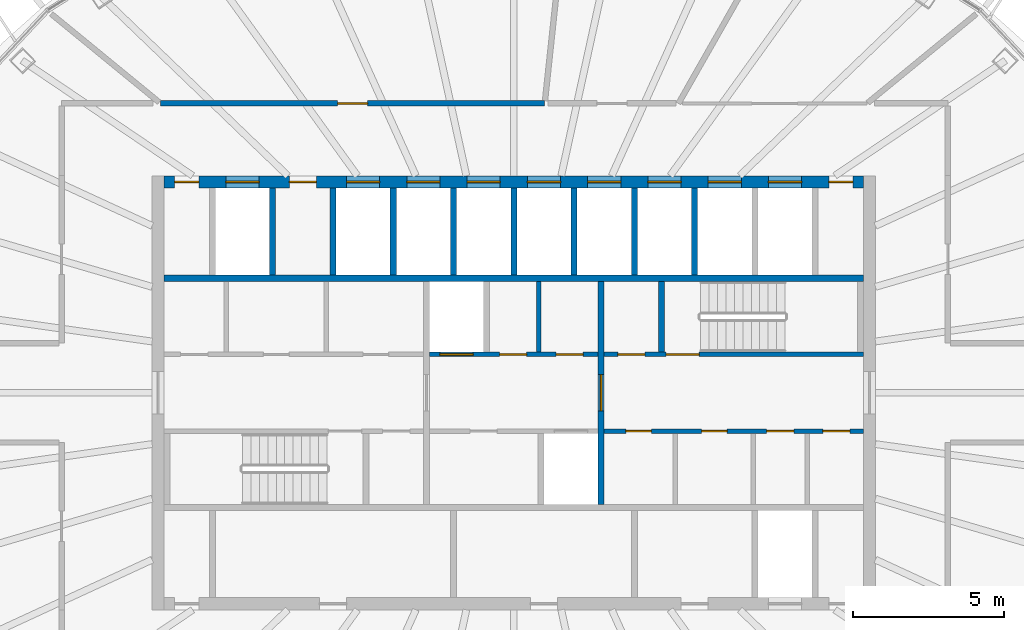
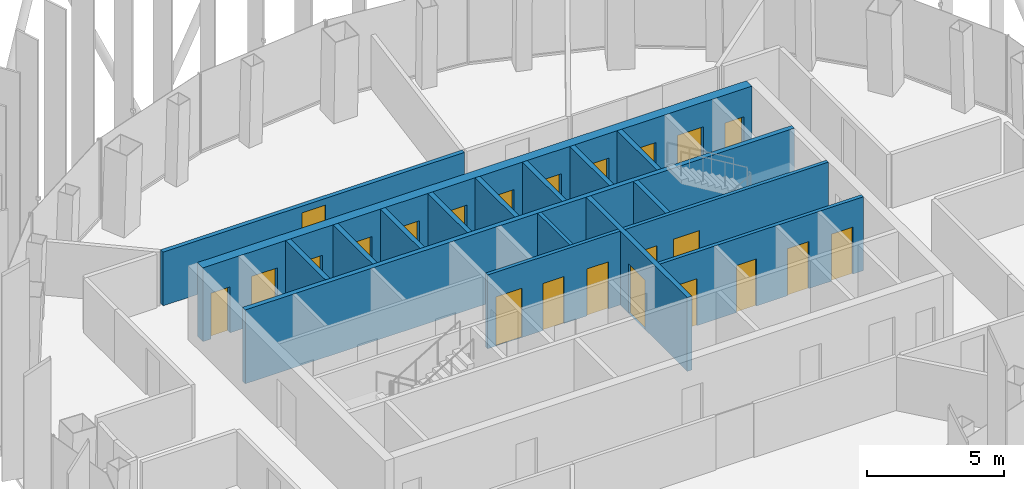
# One storey, part 11 of 19: 23 doors, 17 walls, 23 openings.
"""IFC4 building model written with IfcOpenShell, lengths in metres."""

from ifc_helpers import new_model, si_unit, direction, frame, frame_2d, origin, place, context, subcontext, project, spatial, rectangle, extrude, material, layer, layer_set, type_object, element, fill, save


model = new_model("IFC4")

# Units and contexts
model_context = context("Model", 3, precision=1e-05, world=origin(), true_north=direction((0.0, 1.0)))
body_context = subcontext(model_context, "Body", "Model", "MODEL_VIEW")
ifc_project = project(units=[si_unit("LENGTHUNIT", "METRE"), si_unit("AREAUNIT", "SQUARE_METRE"), si_unit("VOLUMEUNIT", "CUBIC_METRE"), si_unit("PLANEANGLEUNIT", "RADIAN"), si_unit("MASSUNIT", "GRAM", prefix="KILO")], contexts=[model_context])

# Site, building, storey
site_placement = place(None, origin())
site = spatial("IfcSite", under=ifc_project, at=site_placement, CompositionType="ELEMENT")
building_placement = place(site_placement, origin())
building = spatial("IfcBuilding", under=site, at=building_placement, Name="Siaravel Broadcast Tower", CompositionType="ELEMENT")
storey_placement = place(building_placement, frame((0.0, 0.0, 217.10009765625)))
storey = spatial("IfcBuildingStorey", under=building, at=storey_placement, Name="L52", CompositionType="ELEMENT", Elevation=217.10009765625)

# Wall
ifc_material_1 = material(Name="Concrete blockwork", Category="masonry")
ifc_layer_1 = layer(ifc_material_1, 0.14990234375)
ifc_layer_set_1 = layer_set([ifc_layer_1], Name="Concrete blockwork")
wall_type_1 = type_object("IfcWallType", Name="Core partition 150", PredefinedType="PARTITIONING", material=ifc_layer_set_1)
wall_1_placement = place(storey_placement, frame((0.827392578125, 1.35009765625, 0.0), z_axis=(0.0, 0.0, 1.0), x_axis=(0.0, 1.0, 0.0)))
element("IfcWall", 1, at=wall_1_placement, inside=storey, type_object=wall_type_1, Name="L52 core partition PNM0", PredefinedType="PARTITIONING", context=body_context, shape_type="SweptSolid", body=[
    extrude(rectangle(XDim=2.349853515625, YDim=0.14990234375, at=frame_2d((1.1748046875, 0.0))), origin(), (0.0, 0.0, 1.0), 3.2998046875),
])

# Wall, openings, doors
ifc_material_2 = material(Name="Concrete C60/75", Category="concrete")
ifc_layer_2 = layer(ifc_material_2, 0.39990234375)
ifc_layer_set_2 = layer_set([ifc_layer_2], Name="Concrete C60/75")
wall_type_2 = type_object("IfcWallType", Name="Core wall 400", PredefinedType="SHEAR", material=ifc_layer_set_2)
wall_2_placement = place(storey_placement, frame((-11.60009765625, 7.0, 0.0), z_axis=(0.0, 0.0, 1.0), x_axis=(1.0, 0.0, 0.0)))
wall_2 = element("IfcWall", 2, at=wall_2_placement, inside=storey, type_object=wall_type_2, Name="L52 core wall ON", PredefinedType="SHEAR", context=body_context, shape_type="SweptSolid", body=[
    extrude(rectangle(XDim=23.2001953125, YDim=0.39990234375, at=frame_2d((11.60009765625, 0.0))), origin(), (0.0, 0.0, 1.0), 3.2998046875),
])
opening_1_placement = place(wall_2_placement, frame((2.050048828125, 0.0, 0.0)))
opening_1 = element("IfcOpeningElement", 3, at=opening_1_placement, cuts=wall_2, Name="Opening LD-SV2-L52", PredefinedType="OPENING", context=body_context, shape_type="SweptSolid", body=[
    extrude(rectangle(XDim=1.10009765625, YDim=2.199951171875, at=frame_2d((0.550048828125, 1.10009765625))), frame((0.0, 0.2099609375, 0.0), z_axis=(0.0, -1.0, 0.0), x_axis=(1.0, 0.0, 0.0)), (0.0, 0.0, 1.0), 0.419921875),
])
opening_2_placement = place(wall_2_placement, frame((6.050048828125, 0.0, 0.0)))
opening_2 = element("IfcOpeningElement", 4, at=opening_2_placement, cuts=wall_2, Name="Opening LD-HP1-L52", PredefinedType="OPENING", context=body_context, shape_type="SweptSolid", body=[
    extrude(rectangle(XDim=1.10009765625, YDim=2.199951171875, at=frame_2d((0.550048828125, 1.10009765625))), frame((0.0, 0.2099609375, 0.0), z_axis=(0.0, -1.0, 0.0), x_axis=(1.0, 0.0, 0.0)), (0.0, 0.0, 1.0), 0.419921875),
])
opening_3_placement = place(wall_2_placement, frame((8.050048828125, 0.0, 0.0)))
opening_3 = element("IfcOpeningElement", 5, at=opening_3_placement, cuts=wall_2, Name="Opening LD-HP2-L52", PredefinedType="OPENING", context=body_context, shape_type="SweptSolid", body=[
    extrude(rectangle(XDim=1.10009765625, YDim=2.199951171875, at=frame_2d((0.550048828125, 1.10009765625))), frame((0.0, 0.2099609375, 0.0), z_axis=(0.0, -1.0, 0.0), x_axis=(1.0, 0.0, 0.0)), (0.0, 0.0, 1.0), 0.419921875),
])
opening_4_placement = place(wall_2_placement, frame((10.050048828125, 0.0, 0.0)))
opening_4 = element("IfcOpeningElement", 6, at=opening_4_placement, cuts=wall_2, Name="Opening LD-HP3-L52", PredefinedType="OPENING", context=body_context, shape_type="SweptSolid", body=[
    extrude(rectangle(XDim=1.10009765625, YDim=2.199951171875, at=frame_2d((0.550048828125, 1.10009765625))), frame((0.0, 0.2099609375, 0.0), z_axis=(0.0, -1.0, 0.0), x_axis=(1.0, 0.0, 0.0)), (0.0, 0.0, 1.0), 0.419921875),
])
opening_5_placement = place(wall_2_placement, frame((12.050048828125, 0.0, 0.0)))
opening_5 = element("IfcOpeningElement", 7, at=opening_5_placement, cuts=wall_2, Name="Opening LD-HP4-L52", PredefinedType="OPENING", context=body_context, shape_type="SweptSolid", body=[
    extrude(rectangle(XDim=1.10009765625, YDim=2.199951171875, at=frame_2d((0.550048828125, 1.10009765625))), frame((0.0, 0.2099609375, 0.0), z_axis=(0.0, -1.0, 0.0), x_axis=(1.0, 0.0, 0.0)), (0.0, 0.0, 1.0), 0.419921875),
])
opening_6_placement = place(wall_2_placement, frame((14.050048828125, 0.0, 0.0)))
opening_6 = element("IfcOpeningElement", 8, at=opening_6_placement, cuts=wall_2, Name="Opening LD-HP5-L52", PredefinedType="OPENING", context=body_context, shape_type="SweptSolid", body=[
    extrude(rectangle(XDim=1.10009765625, YDim=2.199951171875, at=frame_2d((0.550048828125, 1.10009765625))), frame((0.0, 0.2099609375, 0.0), z_axis=(0.0, -1.0, 0.0), x_axis=(1.0, 0.0, 0.0)), (0.0, 0.0, 1.0), 0.419921875),
])
opening_7_placement = place(wall_2_placement, frame((16.050048828125, 0.0, 0.0)))
opening_7 = element("IfcOpeningElement", 9, at=opening_7_placement, cuts=wall_2, Name="Opening LD-HP6-L52", PredefinedType="OPENING", context=body_context, shape_type="SweptSolid", body=[
    extrude(rectangle(XDim=1.10009765625, YDim=2.199951171875, at=frame_2d((0.550048828125, 1.10009765625))), frame((0.0, 0.2099609375, 0.0), z_axis=(0.0, -1.0, 0.0), x_axis=(1.0, 0.0, 0.0)), (0.0, 0.0, 1.0), 0.419921875),
])
opening_8_placement = place(wall_2_placement, frame((18.050048828125, 0.0, 0.0)))
opening_8 = element("IfcOpeningElement", 10, at=opening_8_placement, cuts=wall_2, Name="Opening LD-HP7-L52", PredefinedType="OPENING", context=body_context, shape_type="SweptSolid", body=[
    extrude(rectangle(XDim=1.10009765625, YDim=2.199951171875, at=frame_2d((0.550048828125, 1.10009765625))), frame((0.0, 0.2099609375, 0.0), z_axis=(0.0, -1.0, 0.0), x_axis=(1.0, 0.0, 0.0)), (0.0, 0.0, 1.0), 0.419921875),
])
opening_9_placement = place(wall_2_placement, frame((20.050048828125, 0.0, 0.0)))
opening_9 = element("IfcOpeningElement", 11, at=opening_9_placement, cuts=wall_2, Name="Opening LD-HP8-L52", PredefinedType="OPENING", context=body_context, shape_type="SweptSolid", body=[
    extrude(rectangle(XDim=1.10009765625, YDim=2.199951171875, at=frame_2d((0.550048828125, 1.10009765625))), frame((0.0, 0.2099609375, 0.0), z_axis=(0.0, -1.0, 0.0), x_axis=(1.0, 0.0, 0.0)), (0.0, 0.0, 1.0), 0.419921875),
])
opening_10_placement = place(wall_2_placement, frame((4.14990234375, 0.0, 0.0)))
opening_10 = element("IfcOpeningElement", 12, at=opening_10_placement, cuts=wall_2, Name="Opening L52-DFN1", PredefinedType="OPENING", context=body_context, shape_type="SweptSolid", body=[
    extrude(rectangle(XDim=0.89990234375, YDim=2.10009765625, at=frame_2d((0.449951171875, 1.050048828125))), frame((0.0, 0.2099609375, 0.0), z_axis=(0.0, -1.0, 0.0), x_axis=(1.0, 0.0, 0.0)), (0.0, 0.0, 1.0), 0.419921875),
])
opening_11_placement = place(wall_2_placement, frame((0.35009765625, 0.0, 0.0)))
opening_11 = element("IfcOpeningElement", 13, at=opening_11_placement, cuts=wall_2, Name="Opening L52-DRNW", PredefinedType="OPENING", context=body_context, shape_type="SweptSolid", body=[
    extrude(rectangle(XDim=0.800048828125, YDim=2.050048828125, at=frame_2d((0.39990234375, 1.02490234375))), frame((0.0, 0.2099609375, 0.0), z_axis=(0.0, -1.0, 0.0), x_axis=(1.0, 0.0, 0.0)), (0.0, 0.0, 1.0), 0.419921875),
])
opening_12_placement = place(wall_2_placement, frame((22.050048828125, 0.0, 0.0)))
opening_12 = element("IfcOpeningElement", 14, at=opening_12_placement, cuts=wall_2, Name="Opening L52-DRNE", PredefinedType="OPENING", context=body_context, shape_type="SweptSolid", body=[
    extrude(rectangle(XDim=0.800048828125, YDim=2.050048828125, at=frame_2d((0.39990234375, 1.02490234375))), frame((0.0, 0.2099609375, 0.0), z_axis=(0.0, -1.0, 0.0), x_axis=(1.0, 0.0, 0.0)), (0.0, 0.0, 1.0), 0.419921875),
])
ifc_material_3 = material(Name="Timber veneer", Category="wood")
door_type_1 = type_object("IfcDoorType", Name="Core room door 900", OperationType="SINGLE_SWING_LEFT", PredefinedType="DOOR", material=ifc_material_3)
door_1_placement = place(opening_10_placement, origin())
door_1 = element("IfcDoor", 15, at=door_1_placement, inside=storey, type_object=door_type_1, Name="L52 door DFN1", OperationType="SINGLE_SWING_LEFT", OverallHeight=2.10009765625, OverallWidth=0.89990234375, PredefinedType="DOOR", context=body_context, shape_type="SweptSolid", body=[
    extrude(rectangle(XDim=0.89990234375, YDim=2.10009765625, at=frame_2d((0.449951171875, 1.050048828125))), frame((0.0, 0.02490234375, 0.0), z_axis=(0.0, -1.0, 0.0), x_axis=(1.0, 0.0, 0.0)), (0.0, 0.0, 1.0), 0.050048828125),
])
fill(opening_10, door_1)
ifc_material_4 = material(Name="Stainless steel 316L", Category="steel")
door_type_2 = type_object("IfcDoorType", Name="Lift landing door 1100", OperationType="DOUBLE_DOOR_SLIDING", PredefinedType="DOOR", material=ifc_material_4)
door_2_placement = place(opening_2_placement, origin())
door_2 = element("IfcDoor", 16, at=door_2_placement, inside=storey, type_object=door_type_2, Name="Landing door HP1 L52", OperationType="DOUBLE_DOOR_SLIDING", OverallHeight=2.199951171875, OverallWidth=1.10009765625, PredefinedType="DOOR", context=body_context, shape_type="SweptSolid", body=[
    extrude(rectangle(XDim=1.10009765625, YDim=2.199951171875, at=frame_2d((0.550048828125, 1.10009765625))), frame((0.0, 0.02490234375, 0.0), z_axis=(0.0, -1.0, 0.0), x_axis=(1.0, 0.0, 0.0)), (0.0, 0.0, 1.0), 0.050048828125),
])
fill(opening_2, door_2)
door_3_placement = place(opening_3_placement, origin())
door_3 = element("IfcDoor", 17, at=door_3_placement, inside=storey, type_object=door_type_2, Name="Landing door HP2 L52", OperationType="DOUBLE_DOOR_SLIDING", OverallHeight=2.199951171875, OverallWidth=1.10009765625, PredefinedType="DOOR", context=body_context, shape_type="SweptSolid", body=[
    extrude(rectangle(XDim=1.10009765625, YDim=2.199951171875, at=frame_2d((0.550048828125, 1.10009765625))), frame((0.0, 0.02490234375, 0.0), z_axis=(0.0, -1.0, 0.0), x_axis=(1.0, 0.0, 0.0)), (0.0, 0.0, 1.0), 0.050048828125),
])
fill(opening_3, door_3)
door_4_placement = place(opening_4_placement, origin())
door_4 = element("IfcDoor", 18, at=door_4_placement, inside=storey, type_object=door_type_2, Name="Landing door HP3 L52", OperationType="DOUBLE_DOOR_SLIDING", OverallHeight=2.199951171875, OverallWidth=1.10009765625, PredefinedType="DOOR", context=body_context, shape_type="SweptSolid", body=[
    extrude(rectangle(XDim=1.10009765625, YDim=2.199951171875, at=frame_2d((0.550048828125, 1.10009765625))), frame((0.0, 0.02490234375, 0.0), z_axis=(0.0, -1.0, 0.0), x_axis=(1.0, 0.0, 0.0)), (0.0, 0.0, 1.0), 0.050048828125),
])
fill(opening_4, door_4)
door_5_placement = place(opening_5_placement, origin())
door_5 = element("IfcDoor", 19, at=door_5_placement, inside=storey, type_object=door_type_2, Name="Landing door HP4 L52", OperationType="DOUBLE_DOOR_SLIDING", OverallHeight=2.199951171875, OverallWidth=1.10009765625, PredefinedType="DOOR", context=body_context, shape_type="SweptSolid", body=[
    extrude(rectangle(XDim=1.10009765625, YDim=2.199951171875, at=frame_2d((0.550048828125, 1.10009765625))), frame((0.0, 0.02490234375, 0.0), z_axis=(0.0, -1.0, 0.0), x_axis=(1.0, 0.0, 0.0)), (0.0, 0.0, 1.0), 0.050048828125),
])
fill(opening_5, door_5)
door_6_placement = place(opening_6_placement, origin())
door_6 = element("IfcDoor", 20, at=door_6_placement, inside=storey, type_object=door_type_2, Name="Landing door HP5 L52", OperationType="DOUBLE_DOOR_SLIDING", OverallHeight=2.199951171875, OverallWidth=1.10009765625, PredefinedType="DOOR", context=body_context, shape_type="SweptSolid", body=[
    extrude(rectangle(XDim=1.10009765625, YDim=2.199951171875, at=frame_2d((0.550048828125, 1.10009765625))), frame((0.0, 0.02490234375, 0.0), z_axis=(0.0, -1.0, 0.0), x_axis=(1.0, 0.0, 0.0)), (0.0, 0.0, 1.0), 0.050048828125),
])
fill(opening_6, door_6)
door_7_placement = place(opening_7_placement, origin())
door_7 = element("IfcDoor", 21, at=door_7_placement, inside=storey, type_object=door_type_2, Name="Landing door HP6 L52", OperationType="DOUBLE_DOOR_SLIDING", OverallHeight=2.199951171875, OverallWidth=1.10009765625, PredefinedType="DOOR", context=body_context, shape_type="SweptSolid", body=[
    extrude(rectangle(XDim=1.10009765625, YDim=2.199951171875, at=frame_2d((0.550048828125, 1.10009765625))), frame((0.0, 0.02490234375, 0.0), z_axis=(0.0, -1.0, 0.0), x_axis=(1.0, 0.0, 0.0)), (0.0, 0.0, 1.0), 0.050048828125),
])
fill(opening_7, door_7)
door_8_placement = place(opening_8_placement, origin())
door_8 = element("IfcDoor", 22, at=door_8_placement, inside=storey, type_object=door_type_2, Name="Landing door HP7 L52", OperationType="DOUBLE_DOOR_SLIDING", OverallHeight=2.199951171875, OverallWidth=1.10009765625, PredefinedType="DOOR", context=body_context, shape_type="SweptSolid", body=[
    extrude(rectangle(XDim=1.10009765625, YDim=2.199951171875, at=frame_2d((0.550048828125, 1.10009765625))), frame((0.0, 0.02490234375, 0.0), z_axis=(0.0, -1.0, 0.0), x_axis=(1.0, 0.0, 0.0)), (0.0, 0.0, 1.0), 0.050048828125),
])
fill(opening_8, door_8)
door_9_placement = place(opening_9_placement, origin())
door_9 = element("IfcDoor", 23, at=door_9_placement, inside=storey, type_object=door_type_2, Name="Landing door HP8 L52", OperationType="DOUBLE_DOOR_SLIDING", OverallHeight=2.199951171875, OverallWidth=1.10009765625, PredefinedType="DOOR", context=body_context, shape_type="SweptSolid", body=[
    extrude(rectangle(XDim=1.10009765625, YDim=2.199951171875, at=frame_2d((0.550048828125, 1.10009765625))), frame((0.0, 0.02490234375, 0.0), z_axis=(0.0, -1.0, 0.0), x_axis=(1.0, 0.0, 0.0)), (0.0, 0.0, 1.0), 0.050048828125),
])
fill(opening_9, door_9)
ifc_material_5 = material(Name="Steel", Category="steel")
door_type_3 = type_object("IfcDoorType", Name="Riser door 800", OperationType="SINGLE_SWING_LEFT", PredefinedType="DOOR", material=ifc_material_5)
door_10_placement = place(opening_11_placement, origin())
door_10 = element("IfcDoor", 24, at=door_10_placement, inside=storey, type_object=door_type_3, Name="L52 door DRNW", OperationType="SINGLE_SWING_LEFT", OverallHeight=2.050048828125, OverallWidth=0.800048828125, PredefinedType="DOOR", context=body_context, shape_type="SweptSolid", body=[
    extrude(rectangle(XDim=0.800048828125, YDim=2.050048828125, at=frame_2d((0.39990234375, 1.02490234375))), frame((0.0, 0.02490234375, 0.0), z_axis=(0.0, -1.0, 0.0), x_axis=(1.0, 0.0, 0.0)), (0.0, 0.0, 1.0), 0.050048828125),
])
fill(opening_11, door_10)
door_11_placement = place(opening_12_placement, origin())
door_11 = element("IfcDoor", 25, at=door_11_placement, inside=storey, type_object=door_type_3, Name="L52 door DRNE", OperationType="SINGLE_SWING_LEFT", OverallHeight=2.050048828125, OverallWidth=0.800048828125, PredefinedType="DOOR", context=body_context, shape_type="SweptSolid", body=[
    extrude(rectangle(XDim=0.800048828125, YDim=2.050048828125, at=frame_2d((0.39990234375, 1.02490234375))), frame((0.0, 0.02490234375, 0.0), z_axis=(0.0, -1.0, 0.0), x_axis=(1.0, 0.0, 0.0)), (0.0, 0.0, 1.0), 0.050048828125),
])
fill(opening_12, door_11)
door_type_4 = type_object("IfcDoorType", Name="Service lift landing door 1100", OperationType="DOUBLE_DOOR_SLIDING", PredefinedType="DOOR", material=ifc_material_4)
door_12_placement = place(opening_1_placement, origin())
door_12 = element("IfcDoor", 26, at=door_12_placement, inside=storey, type_object=door_type_4, Name="Landing door SV2 L52", OperationType="DOUBLE_DOOR_SLIDING", OverallHeight=2.199951171875, OverallWidth=1.10009765625, PredefinedType="DOOR", context=body_context, shape_type="SweptSolid", body=[
    extrude(rectangle(XDim=1.10009765625, YDim=2.199951171875, at=frame_2d((0.550048828125, 1.10009765625))), frame((0.0, 0.02490234375, 0.0), z_axis=(0.0, -1.0, 0.0), x_axis=(1.0, 0.0, 0.0)), (0.0, 0.0, 1.0), 0.050048828125),
])
fill(opening_1, door_12)

ifc_material_6 = material(Name="Gypsum board partition", Category="gypsum")
ifc_layer_3 = layer(ifc_material_6, 0.14990234375)
ifc_layer_set_3 = layer_set([ifc_layer_3], Name="Gypsum board partition")
wall_type_3 = type_object("IfcWallType", Name="Corridor wall 150", PredefinedType="PARTITIONING", material=ifc_layer_set_3)
wall_3_placement = place(storey_placement, frame((3.0, -1.27490234375, 0.0), z_axis=(0.0, 0.0, 1.0), x_axis=(1.0, 0.0, 0.0)))
wall_3 = element("IfcWall", 27, at=wall_3_placement, inside=storey, type_object=wall_type_3, Name="L52 core partition CSE", PredefinedType="PARTITIONING", context=body_context, shape_type="SweptSolid", body=[
    extrude(rectangle(XDim=8.60009765625, YDim=0.14990234375, at=frame_2d((4.300048828125, 0.0))), origin(), (0.0, 0.0, 1.0), 3.2998046875),
])
opening_13_placement = place(wall_3_placement, frame((0.716064453125, 0.0, 0.0)))
opening_13 = element("IfcOpeningElement", 28, at=opening_13_placement, cuts=wall_3, Name="Opening L52-DSE0", PredefinedType="OPENING", context=body_context, shape_type="SweptSolid", body=[
    extrude(rectangle(XDim=0.85009765625, YDim=2.10009765625, at=frame_2d((0.425048828125, 1.050048828125))), frame((0.0, 0.0849609375, 0.0), z_axis=(0.0, -1.0, 0.0), x_axis=(1.0, 0.0, 0.0)), (0.0, 0.0, 1.0), 0.169921875),
])
opening_14_placement = place(wall_3_placement, frame((3.2294921875, 0.0, 0.0)))
opening_14 = element("IfcOpeningElement", 29, at=opening_14_placement, cuts=wall_3, Name="Opening L52-DSE1", PredefinedType="OPENING", context=body_context, shape_type="SweptSolid", body=[
    extrude(rectangle(XDim=0.85009765625, YDim=2.10009765625, at=frame_2d((0.425048828125, 1.050048828125))), frame((0.0, 0.0849609375, 0.0), z_axis=(0.0, -1.0, 0.0), x_axis=(1.0, 0.0, 0.0)), (0.0, 0.0, 1.0), 0.169921875),
])
opening_15_placement = place(wall_3_placement, frame((5.39208984375, 0.0, 0.0)))
opening_15 = element("IfcOpeningElement", 30, at=opening_15_placement, cuts=wall_3, Name="Opening L52-DSE2", PredefinedType="OPENING", context=body_context, shape_type="SweptSolid", body=[
    extrude(rectangle(XDim=0.89990234375, YDim=2.10009765625, at=frame_2d((0.449951171875, 1.050048828125))), frame((0.0, 0.0849609375, 0.0), z_axis=(0.0, -1.0, 0.0), x_axis=(1.0, 0.0, 0.0)), (0.0, 0.0, 1.0), 0.169921875),
])
opening_16_placement = place(wall_3_placement, frame((7.25341796875, 0.0, 0.0)))
opening_16 = element("IfcOpeningElement", 31, at=opening_16_placement, cuts=wall_3, Name="Opening L52-DSE3", PredefinedType="OPENING", context=body_context, shape_type="SweptSolid", body=[
    extrude(rectangle(XDim=0.89990234375, YDim=2.10009765625, at=frame_2d((0.449951171875, 1.050048828125))), frame((0.0, 0.0849609375, 0.0), z_axis=(0.0, -1.0, 0.0), x_axis=(1.0, 0.0, 0.0)), (0.0, 0.0, 1.0), 0.169921875),
])
door_13_placement = place(opening_15_placement, origin())
door_13 = element("IfcDoor", 32, at=door_13_placement, inside=storey, type_object=door_type_1, Name="L52 door DSE2", OperationType="SINGLE_SWING_LEFT", OverallHeight=2.10009765625, OverallWidth=0.89990234375, PredefinedType="DOOR", context=body_context, shape_type="SweptSolid", body=[
    extrude(rectangle(XDim=0.89990234375, YDim=2.10009765625, at=frame_2d((0.449951171875, 1.050048828125))), frame((0.0, 0.02490234375, 0.0), z_axis=(0.0, -1.0, 0.0), x_axis=(1.0, 0.0, 0.0)), (0.0, 0.0, 1.0), 0.050048828125),
])
fill(opening_15, door_13)
door_14_placement = place(opening_16_placement, origin())
door_14 = element("IfcDoor", 33, at=door_14_placement, inside=storey, type_object=door_type_1, Name="L52 door DSE3", OperationType="SINGLE_SWING_LEFT", OverallHeight=2.10009765625, OverallWidth=0.89990234375, PredefinedType="DOOR", context=body_context, shape_type="SweptSolid", body=[
    extrude(rectangle(XDim=0.89990234375, YDim=2.10009765625, at=frame_2d((0.449951171875, 1.050048828125))), frame((0.0, 0.02490234375, 0.0), z_axis=(0.0, -1.0, 0.0), x_axis=(1.0, 0.0, 0.0)), (0.0, 0.0, 1.0), 0.050048828125),
])
fill(opening_16, door_14)
door_type_5 = type_object("IfcDoorType", Name="Core toilet door 850", OperationType="SINGLE_SWING_LEFT", PredefinedType="DOOR", material=ifc_material_3)
door_15_placement = place(opening_13_placement, origin())
door_15 = element("IfcDoor", 34, at=door_15_placement, inside=storey, type_object=door_type_5, Name="L52 door DSE0", OperationType="SINGLE_SWING_LEFT", OverallHeight=2.10009765625, OverallWidth=0.85009765625, PredefinedType="DOOR", context=body_context, shape_type="SweptSolid", body=[
    extrude(rectangle(XDim=0.85009765625, YDim=2.10009765625, at=frame_2d((0.425048828125, 1.050048828125))), frame((0.0, 0.02490234375, 0.0), z_axis=(0.0, -1.0, 0.0), x_axis=(1.0, 0.0, 0.0)), (0.0, 0.0, 1.0), 0.050048828125),
])
fill(opening_13, door_15)
door_16_placement = place(opening_14_placement, origin())
door_16 = element("IfcDoor", 35, at=door_16_placement, inside=storey, type_object=door_type_5, Name="L52 door DSE1", OperationType="SINGLE_SWING_LEFT", OverallHeight=2.10009765625, OverallWidth=0.85009765625, PredefinedType="DOOR", context=body_context, shape_type="SweptSolid", body=[
    extrude(rectangle(XDim=0.85009765625, YDim=2.10009765625, at=frame_2d((0.425048828125, 1.050048828125))), frame((0.0, 0.02490234375, 0.0), z_axis=(0.0, -1.0, 0.0), x_axis=(1.0, 0.0, 0.0)), (0.0, 0.0, 1.0), 0.050048828125),
])
fill(opening_14, door_16)

# Wall, opening, door
ifc_layer_4 = layer(ifc_material_1, 0.179931640625)
ifc_layer_set_4 = layer_set([ifc_layer_4], Name="Concrete blockwork")
wall_type_4 = type_object("IfcWallType", Name="Service room fire partition 180", PredefinedType="PARTITIONING", material=ifc_layer_set_4)
wall_4_placement = place(storey_placement, frame((1.025390625, 9.60009765625, 0.0), z_axis=(0.0, 0.0, 1.0), x_axis=(-1.0, 0.0, 0.0)))
wall_4 = element("IfcWall", 36, at=wall_4_placement, inside=storey, type_object=wall_type_4, Name="L52 partition 2", PredefinedType="PARTITIONING", context=body_context, shape_type="SweptSolid", body=[
    extrude(rectangle(XDim=12.745361328125, YDim=0.179931640625, at=frame_2d((6.37255859375, 0.0))), origin(), (0.0, 0.0, 1.0), 2.39990234375),
])
opening_17_placement = place(wall_4_placement, frame((5.872802734375, 0.0, 0.0)))
opening_17 = element("IfcOpeningElement", 37, at=opening_17_placement, cuts=wall_4, Name="Opening L52-006", PredefinedType="OPENING", context=body_context, shape_type="SweptSolid", body=[
    extrude(rectangle(XDim=1.0, YDim=2.10009765625, at=frame_2d((0.5, 1.050048828125))), frame((0.0, 0.099853515625, 0.0), z_axis=(0.0, -1.0, 0.0), x_axis=(1.0, 0.0, 0.0)), (0.0, 0.0, 1.0), 0.199951171875),
])
door_type_6 = type_object("IfcDoorType", Name="Service room door 1000", OperationType="SINGLE_SWING_LEFT", PredefinedType="DOOR", material=ifc_material_5)
door_17_placement = place(opening_17_placement, origin())
door_17 = element("IfcDoor", 38, at=door_17_placement, inside=storey, type_object=door_type_6, Name="L52 door to Library", OperationType="SINGLE_SWING_RIGHT", OverallHeight=2.10009765625, OverallWidth=1.0, PredefinedType="DOOR", context=body_context, shape_type="SweptSolid", body=[
    extrude(rectangle(XDim=1.0, YDim=2.10009765625, at=frame_2d((0.5, 1.050048828125))), frame((0.0, 0.02490234375, 0.0), z_axis=(0.0, -1.0, 0.0), x_axis=(1.0, 0.0, 0.0)), (0.0, 0.0, 1.0), 0.050048828125),
])
fill(opening_17, door_17)

# Wall, openings, doors
ifc_layer_5 = layer(ifc_material_2, 0.14990234375)
ifc_layer_set_5 = layer_set([ifc_layer_5], Name="Concrete C60/75")
wall_type_5 = type_object("IfcWallType", Name="Shaft wall 150", PredefinedType="SHEAR", material=ifc_layer_set_5)
wall_5_placement = place(storey_placement, frame((-2.800048828125, 1.27490234375, 0.0), z_axis=(0.0, 0.0, 1.0), x_axis=(1.0, 0.0, 0.0)))
wall_5 = element("IfcWall", 39, at=wall_5_placement, inside=storey, type_object=wall_type_5, Name="L52 core wall CNM", PredefinedType="SHEAR", context=body_context, shape_type="SweptSolid", body=[
    extrude(rectangle(XDim=5.60009765625, YDim=0.14990234375, at=frame_2d((2.800048828125, 0.0))), origin(), (0.0, 0.0, 1.0), 3.2998046875),
])
opening_18_placement = place(wall_5_placement, frame((0.35009765625, 0.0, 0.0)))
opening_18 = element("IfcOpeningElement", 40, at=opening_18_placement, cuts=wall_5, Name="Opening LD-FL1-L52", PredefinedType="OPENING", context=body_context, shape_type="SweptSolid", body=[
    extrude(rectangle(XDim=1.10009765625, YDim=2.199951171875, at=frame_2d((0.550048828125, 1.10009765625))), frame((0.0, 0.0849609375, 0.0), z_axis=(0.0, -1.0, 0.0), x_axis=(1.0, 0.0, 0.0)), (0.0, 0.0, 1.0), 0.169921875),
])
opening_19_placement = place(wall_5_placement, frame((2.326171875, 0.0, 0.0)))
opening_19 = element("IfcOpeningElement", 41, at=opening_19_placement, cuts=wall_5, Name="Opening L52-DNM0", PredefinedType="OPENING", context=body_context, shape_type="SweptSolid", body=[
    extrude(rectangle(XDim=0.89990234375, YDim=2.10009765625, at=frame_2d((0.449951171875, 1.050048828125))), frame((0.0, 0.0849609375, 0.0), z_axis=(0.0, -1.0, 0.0), x_axis=(1.0, 0.0, 0.0)), (0.0, 0.0, 1.0), 0.169921875),
])
opening_20_placement = place(wall_5_placement, frame((4.201171875, 0.0, 0.0)))
opening_20 = element("IfcOpeningElement", 42, at=opening_20_placement, cuts=wall_5, Name="Opening L52-DNM1", PredefinedType="OPENING", context=body_context, shape_type="SweptSolid", body=[
    extrude(rectangle(XDim=0.89990234375, YDim=2.10009765625, at=frame_2d((0.449951171875, 1.050048828125))), frame((0.0, 0.0849609375, 0.0), z_axis=(0.0, -1.0, 0.0), x_axis=(1.0, 0.0, 0.0)), (0.0, 0.0, 1.0), 0.169921875),
])
door_18_placement = place(opening_19_placement, origin())
door_18 = element("IfcDoor", 43, at=door_18_placement, inside=storey, type_object=door_type_1, Name="L52 door DNM0", OperationType="SINGLE_SWING_LEFT", OverallHeight=2.10009765625, OverallWidth=0.89990234375, PredefinedType="DOOR", context=body_context, shape_type="SweptSolid", body=[
    extrude(rectangle(XDim=0.89990234375, YDim=2.10009765625, at=frame_2d((0.449951171875, 1.050048828125))), frame((0.0, 0.02490234375, 0.0), z_axis=(0.0, -1.0, 0.0), x_axis=(1.0, 0.0, 0.0)), (0.0, 0.0, 1.0), 0.050048828125),
])
fill(opening_19, door_18)
door_19_placement = place(opening_20_placement, origin())
door_19 = element("IfcDoor", 44, at=door_19_placement, inside=storey, type_object=door_type_1, Name="L52 door DNM1", OperationType="SINGLE_SWING_LEFT", OverallHeight=2.10009765625, OverallWidth=0.89990234375, PredefinedType="DOOR", context=body_context, shape_type="SweptSolid", body=[
    extrude(rectangle(XDim=0.89990234375, YDim=2.10009765625, at=frame_2d((0.449951171875, 1.050048828125))), frame((0.0, 0.02490234375, 0.0), z_axis=(0.0, -1.0, 0.0), x_axis=(1.0, 0.0, 0.0)), (0.0, 0.0, 1.0), 0.050048828125),
])
fill(opening_20, door_19)
door_type_7 = type_object("IfcDoorType", Name="Firefighting lift landing door 1100", OperationType="DOUBLE_DOOR_SLIDING", PredefinedType="DOOR", material=ifc_material_4)
door_20_placement = place(opening_18_placement, origin())
door_20 = element("IfcDoor", 45, at=door_20_placement, inside=storey, type_object=door_type_7, Name="Landing door FL1 L52", OperationType="DOUBLE_DOOR_SLIDING", OverallHeight=2.199951171875, OverallWidth=1.10009765625, PredefinedType="DOOR", context=body_context, shape_type="SweptSolid", body=[
    extrude(rectangle(XDim=1.10009765625, YDim=2.199951171875, at=frame_2d((0.550048828125, 1.10009765625))), frame((0.0, 0.02490234375, 0.0), z_axis=(0.0, -1.0, 0.0), x_axis=(1.0, 0.0, 0.0)), (0.0, 0.0, 1.0), 0.050048828125),
])
fill(opening_18, door_20)

wall_6_placement = place(storey_placement, frame((3.0, 1.27490234375, 0.0), z_axis=(0.0, 0.0, 1.0), x_axis=(1.0, 0.0, 0.0)))
wall_6 = element("IfcWall", 46, at=wall_6_placement, inside=storey, type_object=wall_type_5, Name="L52 core wall CNE", PredefinedType="SHEAR", context=body_context, shape_type="SweptSolid", body=[
    extrude(rectangle(XDim=8.60009765625, YDim=0.14990234375, at=frame_2d((4.300048828125, 0.0))), origin(), (0.0, 0.0, 1.0), 3.2998046875),
])
opening_21_placement = place(wall_6_placement, frame((2.050048828125, 0.0, 0.0)))
opening_21 = element("IfcOpeningElement", 47, at=opening_21_placement, cuts=wall_6, Name="Opening L52-DS-2", PredefinedType="OPENING", context=body_context, shape_type="SweptSolid", body=[
    extrude(rectangle(XDim=1.10009765625, YDim=2.14990234375, at=frame_2d((0.550048828125, 1.074951171875))), frame((0.0, 0.0849609375, 0.0), z_axis=(0.0, -1.0, 0.0), x_axis=(1.0, 0.0, 0.0)), (0.0, 0.0, 1.0), 0.169921875),
])
opening_22_placement = place(wall_6_placement, frame((0.449951171875, 0.0, 0.0)))
opening_22 = element("IfcOpeningElement", 48, at=opening_22_placement, cuts=wall_6, Name="Opening L52-DNE0", PredefinedType="OPENING", context=body_context, shape_type="SweptSolid", body=[
    extrude(rectangle(XDim=0.89990234375, YDim=2.10009765625, at=frame_2d((0.449951171875, 1.050048828125))), frame((0.0, 0.0849609375, 0.0), z_axis=(0.0, -1.0, 0.0), x_axis=(1.0, 0.0, 0.0)), (0.0, 0.0, 1.0), 0.169921875),
])
door_21_placement = place(opening_22_placement, origin())
door_21 = element("IfcDoor", 49, at=door_21_placement, inside=storey, type_object=door_type_1, Name="L52 door DNE0", OperationType="SINGLE_SWING_LEFT", OverallHeight=2.10009765625, OverallWidth=0.89990234375, PredefinedType="DOOR", context=body_context, shape_type="SweptSolid", body=[
    extrude(rectangle(XDim=0.89990234375, YDim=2.10009765625, at=frame_2d((0.449951171875, 1.050048828125))), frame((0.0, 0.02490234375, 0.0), z_axis=(0.0, -1.0, 0.0), x_axis=(1.0, 0.0, 0.0)), (0.0, 0.0, 1.0), 0.050048828125),
])
fill(opening_22, door_21)
door_type_8 = type_object("IfcDoorType", Name="Stair door 1100", OperationType="SINGLE_SWING_LEFT", PredefinedType="DOOR", material=ifc_material_5)
door_22_placement = place(opening_21_placement, origin())
door_22 = element("IfcDoor", 50, at=door_22_placement, inside=storey, type_object=door_type_8, Name="L52 door DS-2", OperationType="SINGLE_SWING_LEFT", OverallHeight=2.14990234375, OverallWidth=1.10009765625, PredefinedType="DOOR", context=body_context, shape_type="SweptSolid", body=[
    extrude(rectangle(XDim=1.10009765625, YDim=2.14990234375, at=frame_2d((0.550048828125, 1.074951171875))), frame((0.0, 0.02490234375, 0.0), z_axis=(0.0, -1.0, 0.0), x_axis=(1.0, 0.0, 0.0)), (0.0, 0.0, 1.0), 0.050048828125),
])
fill(opening_21, door_22)

# Walls
ifc_layer_6 = layer(ifc_material_2, 0.199951171875)
ifc_layer_set_6 = layer_set([ifc_layer_6], Name="Concrete C60/75")
wall_type_6 = type_object("IfcWallType", Name="Shaft wall 200", PredefinedType="SHEAR", material=ifc_layer_set_6)
wall_7_placement = place(storey_placement, frame((-11.60009765625, 3.800048828125, 0.0), z_axis=(0.0, 0.0, 1.0), x_axis=(1.0, 0.0, 0.0)))
element("IfcWall", 51, at=wall_7_placement, inside=storey, type_object=wall_type_6, Name="L52 core wall BN", PredefinedType="SHEAR", context=body_context, shape_type="SweptSolid", body=[
    extrude(rectangle(XDim=23.2001953125, YDim=0.199951171875, at=frame_2d((11.60009765625, 0.0))), origin(), (0.0, 0.0, 1.0), 3.2998046875),
])
for number, where, z_axis, x_axis, name in (
    (52, (-8.0, 3.89990234375, 0.0), (0.0, 0.0, 1.0), (0.0, 1.0, 0.0), "L52 core wall SWN1"),
    (53, (-6.0, 3.89990234375, 0.0), (0.0, 0.0, 1.0), (0.0, 1.0, 0.0), "L52 core wall SWN2"),
    (54, (-4.0, 3.89990234375, 0.0), (0.0, 0.0, 1.0), (0.0, 1.0, 0.0), "L52 core wall SWN3"),
    (55, (-2.0, 3.89990234375, 0.0), (0.0, 0.0, 1.0), (0.0, 1.0, 0.0), "L52 core wall SWN4"),
    (56, (0.0, 3.89990234375, 0.0), (0.0, 0.0, 1.0), (0.0, 1.0, 0.0), "L52 core wall SWN5"),
    (57, (2.0, 3.89990234375, 0.0), (0.0, 0.0, 1.0), (0.0, 1.0, 0.0), "L52 core wall SWN6"),
    (58, (4.0, 3.89990234375, 0.0), (0.0, 0.0, 1.0), (0.0, 1.0, 0.0), "L52 core wall SWN7"),
    (59, (6.0, 3.89990234375, 0.0), (0.0, 0.0, 1.0), (0.0, 1.0, 0.0), "L52 core wall SWN8"),
):
    element("IfcWall", number, at=place(storey_placement, frame(where, z_axis=z_axis, x_axis=x_axis)), inside=storey, type_object=wall_type_6, Name=name, PredefinedType="SHEAR", context=body_context, shape_type="SweptSolid", body=[
        extrude(rectangle(XDim=2.900146484375, YDim=0.199951171875, at=frame_2d((1.4501953125, 0.0))), origin(), (0.0, 0.0, 1.0), 3.2998046875),
    ])

# Wall, opening, door
wall_8_placement = place(storey_placement, frame((2.89990234375, -3.699951171875, 0.0), z_axis=(0.0, 0.0, 1.0), x_axis=(0.0, 1.0, 0.0)))
wall_8 = element("IfcWall", 60, at=wall_8_placement, inside=storey, type_object=wall_type_6, Name="L52 core wall LE", PredefinedType="SHEAR", context=body_context, shape_type="SweptSolid", body=[
    extrude(rectangle(XDim=7.39990234375, YDim=0.199951171875, at=frame_2d((3.699951171875, 0.0))), origin(), (0.0, 0.0, 1.0), 3.2998046875),
])
opening_23_placement = place(wall_8_placement, frame((3.10009765625, 0.0, 0.0)))
opening_23 = element("IfcOpeningElement", 61, at=opening_23_placement, cuts=wall_8, Name="Opening L52-DL-E", PredefinedType="OPENING", context=body_context, shape_type="SweptSolid", body=[
    extrude(rectangle(XDim=1.199951171875, YDim=2.199951171875, at=frame_2d((0.60009765625, 1.10009765625))), frame((0.0, 0.10986328125, 0.0), z_axis=(0.0, -1.0, 0.0), x_axis=(1.0, 0.0, 0.0)), (0.0, 0.0, 1.0), 0.219970703125),
])
door_type_9 = type_object("IfcDoorType", Name="Firefighting lobby door 1200", OperationType="SINGLE_SWING_LEFT", PredefinedType="DOOR", material=ifc_material_5)
door_23_placement = place(opening_23_placement, origin())
door_23 = element("IfcDoor", 62, at=door_23_placement, inside=storey, type_object=door_type_9, Name="L52 door DL-E", OperationType="SINGLE_SWING_LEFT", OverallHeight=2.199951171875, OverallWidth=1.199951171875, PredefinedType="DOOR", context=body_context, shape_type="SweptSolid", body=[
    extrude(rectangle(XDim=1.199951171875, YDim=2.199951171875, at=frame_2d((0.60009765625, 1.10009765625))), frame((0.0, 0.02490234375, 0.0), z_axis=(0.0, -1.0, 0.0), x_axis=(1.0, 0.0, 0.0)), (0.0, 0.0, 1.0), 0.050048828125),
])
fill(opening_23, door_23)

# Wall
wall_9_placement = place(storey_placement, frame((4.89990234375, 1.35009765625, 0.0), z_axis=(0.0, 0.0, 1.0), x_axis=(0.0, 1.0, 0.0)))
element("IfcWall", 63, at=wall_9_placement, inside=storey, type_object=wall_type_6, Name="L52 core wall ST2W", PredefinedType="SHEAR", context=body_context, shape_type="SweptSolid", body=[
    extrude(rectangle(XDim=2.349853515625, YDim=0.199951171875, at=frame_2d((1.1748046875, 0.0))), origin(), (0.0, 0.0, 1.0), 3.2998046875),
])

save(model, "model.ifc")
